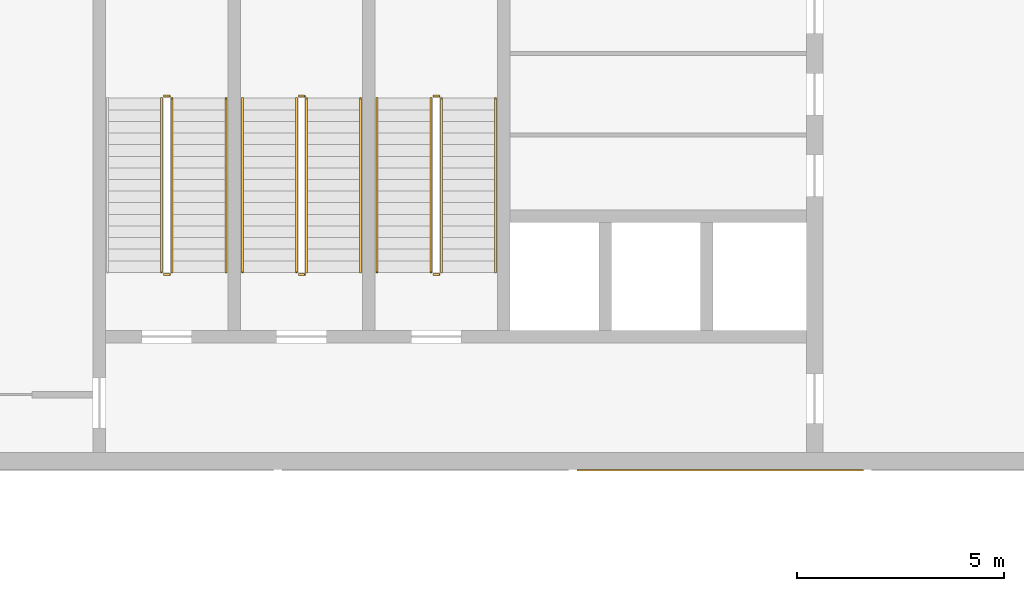
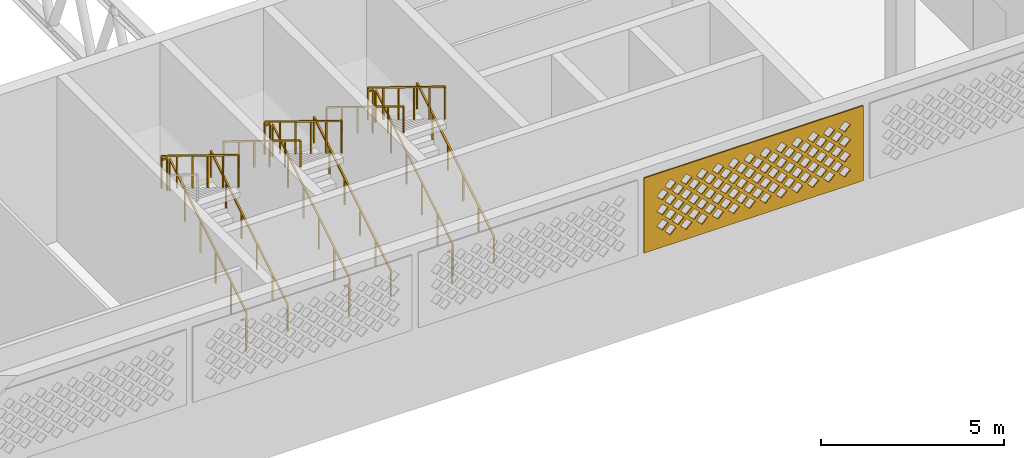
# One storey, part 28 of 69: 17 railings, 1 covering.
"""IFC4 building model written with IfcOpenShell, lengths in metres."""

from ifc_helpers import new_model, si_unit, direction, frame, origin, origin_2d, place, context, subcontext, project, spatial, polyline, rectangle, outline, extrude, material, layer, layer_set, type_object, element, save


model = new_model("IFC4")

# Units and contexts
model_context = context("Model", 3, precision=1e-05, world=origin(), true_north=direction((0.0, 1.0)))
body_context = subcontext(model_context, "Body", "Model", "MODEL_VIEW")
ifc_project = project(units=[si_unit("LENGTHUNIT", "METRE"), si_unit("AREAUNIT", "SQUARE_METRE"), si_unit("VOLUMEUNIT", "CUBIC_METRE"), si_unit("PLANEANGLEUNIT", "RADIAN"), si_unit("MASSUNIT", "GRAM", prefix="KILO")], contexts=[model_context])

# Site, building, storey
site_placement = place(None, origin())
site = spatial("IfcSite", under=ifc_project, at=site_placement, CompositionType="ELEMENT")
building_placement = place(site_placement, origin())
building = spatial("IfcBuilding", under=site, at=building_placement, Name="Noorbagh Ring Tower", CompositionType="ELEMENT")
storey_placement = place(building_placement, frame((0.0, 0.0, 19.5)))
storey = spatial("IfcBuildingStorey", under=building, at=storey_placement, Name="L03", CompositionType="ELEMENT", Elevation=19.5)

# Covering
ifc_material_1 = material(Name="Red sandstone jali", Category="masonry")
ifc_layer = layer(ifc_material_1, 0.0400390625)
ifc_layer_set = layer_set([ifc_layer], Name="Red sandstone jali")
covering_type = type_object("IfcCoveringType", Name="STH-BAND", PredefinedType="USERDEFINED", material=ifc_layer_set)
covering_placement = place(storey_placement, frame((-116.7333984375, -21.0400390625, 2.699951171875), z_axis=(0.0, -1.0, 0.0), x_axis=(1.0, 0.0, 0.0)))
element("IfcCovering", 1, at=covering_placement, inside=storey, type_object=covering_type, Name="Jali band", ObjectType="JALI SCREEN", PredefinedType="USERDEFINED", context=body_context, shape_type="SweptSolid", body=[
    extrude(outline(polyline([(0.0, 0.0), (6.9111328125, 0.0), (6.9111328125, 2.5), (0.0, 2.5), (0.0, 0.0)]), holes=[polyline([(0.650634765625, 0.5), (0.83056640625, 0.320068359375), (1.010498046875, 0.5), (0.83056640625, 0.679931640625), (0.650634765625, 0.5)]), polyline([(1.150634765625, 0.5), (1.33056640625, 0.320068359375), (1.510498046875, 0.5), (1.33056640625, 0.679931640625), (1.150634765625, 0.5)]), polyline([(1.650634765625, 0.5), (1.83056640625, 0.320068359375), (2.010498046875, 0.5), (1.83056640625, 0.679931640625), (1.650634765625, 0.5)]), polyline([(2.150634765625, 0.5), (2.33056640625, 0.320068359375), (2.510498046875, 0.5), (2.33056640625, 0.679931640625), (2.150634765625, 0.5)]), polyline([(2.650634765625, 0.5), (2.83056640625, 0.320068359375), (3.010498046875, 0.5), (2.83056640625, 0.679931640625), (2.650634765625, 0.5)]), polyline([(3.150634765625, 0.5), (3.33056640625, 0.320068359375), (3.510498046875, 0.5), (3.33056640625, 0.679931640625), (3.150634765625, 0.5)]), polyline([(3.650634765625, 0.5), (3.83056640625, 0.320068359375), (4.010498046875, 0.5), (3.83056640625, 0.679931640625), (3.650634765625, 0.5)]), polyline([(4.150634765625, 0.5), (4.33056640625, 0.320068359375), (4.510498046875, 0.5), (4.33056640625, 0.679931640625), (4.150634765625, 0.5)]), polyline([(4.650634765625, 0.5), (4.83056640625, 0.320068359375), (5.010498046875, 0.5), (4.83056640625, 0.679931640625), (4.650634765625, 0.5)]), polyline([(5.150634765625, 0.5), (5.33056640625, 0.320068359375), (5.510498046875, 0.5), (5.33056640625, 0.679931640625), (5.150634765625, 0.5)]), polyline([(5.650634765625, 0.5), (5.83056640625, 0.320068359375), (6.010498046875, 0.5), (5.83056640625, 0.679931640625), (5.650634765625, 0.5)]), polyline([(6.150634765625, 0.5), (6.33056640625, 0.320068359375), (6.510498046875, 0.5), (6.33056640625, 0.679931640625), (6.150634765625, 0.5)]), polyline([(0.400634765625, 0.75), (0.58056640625, 0.570068359375), (0.760498046875, 0.75), (0.58056640625, 0.929931640625), (0.400634765625, 0.75)]), polyline([(0.900634765625, 0.75), (1.08056640625, 0.570068359375), (1.260498046875, 0.75), (1.08056640625, 0.929931640625), (0.900634765625, 0.75)]), polyline([(1.400634765625, 0.75), (1.58056640625, 0.570068359375), (1.760498046875, 0.75), (1.58056640625, 0.929931640625), (1.400634765625, 0.75)]), polyline([(1.900634765625, 0.75), (2.08056640625, 0.570068359375), (2.260498046875, 0.75), (2.08056640625, 0.929931640625), (1.900634765625, 0.75)]), polyline([(2.400634765625, 0.75), (2.58056640625, 0.570068359375), (2.760498046875, 0.75), (2.58056640625, 0.929931640625), (2.400634765625, 0.75)]), polyline([(2.900634765625, 0.75), (3.08056640625, 0.570068359375), (3.260498046875, 0.75), (3.08056640625, 0.929931640625), (2.900634765625, 0.75)]), polyline([(3.400634765625, 0.75), (3.58056640625, 0.570068359375), (3.760498046875, 0.75), (3.58056640625, 0.929931640625), (3.400634765625, 0.75)]), polyline([(3.900634765625, 0.75), (4.08056640625, 0.570068359375), (4.260498046875, 0.75), (4.08056640625, 0.929931640625), (3.900634765625, 0.75)]), polyline([(4.400634765625, 0.75), (4.58056640625, 0.570068359375), (4.760498046875, 0.75), (4.58056640625, 0.929931640625), (4.400634765625, 0.75)]), polyline([(4.900634765625, 0.75), (5.08056640625, 0.570068359375), (5.260498046875, 0.75), (5.08056640625, 0.929931640625), (4.900634765625, 0.75)]), polyline([(5.400634765625, 0.75), (5.58056640625, 0.570068359375), (5.760498046875, 0.75), (5.58056640625, 0.929931640625), (5.400634765625, 0.75)]), polyline([(5.900634765625, 0.75), (6.08056640625, 0.570068359375), (6.260498046875, 0.75), (6.08056640625, 0.929931640625), (5.900634765625, 0.75)]), polyline([(0.650634765625, 1.0), (0.83056640625, 0.820068359375), (1.010498046875, 1.0), (0.83056640625, 1.179931640625), (0.650634765625, 1.0)]), polyline([(1.150634765625, 1.0), (1.33056640625, 0.820068359375), (1.510498046875, 1.0), (1.33056640625, 1.179931640625), (1.150634765625, 1.0)]), polyline([(1.650634765625, 1.0), (1.83056640625, 0.820068359375), (2.010498046875, 1.0), (1.83056640625, 1.179931640625), (1.650634765625, 1.0)]), polyline([(2.150634765625, 1.0), (2.33056640625, 0.820068359375), (2.510498046875, 1.0), (2.33056640625, 1.179931640625), (2.150634765625, 1.0)]), polyline([(2.650634765625, 1.0), (2.83056640625, 0.820068359375), (3.010498046875, 1.0), (2.83056640625, 1.179931640625), (2.650634765625, 1.0)]), polyline([(3.150634765625, 1.0), (3.33056640625, 0.820068359375), (3.510498046875, 1.0), (3.33056640625, 1.179931640625), (3.150634765625, 1.0)]), polyline([(3.650634765625, 1.0), (3.83056640625, 0.820068359375), (4.010498046875, 1.0), (3.83056640625, 1.179931640625), (3.650634765625, 1.0)]), polyline([(4.150634765625, 1.0), (4.33056640625, 0.820068359375), (4.510498046875, 1.0), (4.33056640625, 1.179931640625), (4.150634765625, 1.0)]), polyline([(4.650634765625, 1.0), (4.83056640625, 0.820068359375), (5.010498046875, 1.0), (4.83056640625, 1.179931640625), (4.650634765625, 1.0)]), polyline([(5.150634765625, 1.0), (5.33056640625, 0.820068359375), (5.510498046875, 1.0), (5.33056640625, 1.179931640625), (5.150634765625, 1.0)]), polyline([(5.650634765625, 1.0), (5.83056640625, 0.820068359375), (6.010498046875, 1.0), (5.83056640625, 1.179931640625), (5.650634765625, 1.0)]), polyline([(6.150634765625, 1.0), (6.33056640625, 0.820068359375), (6.510498046875, 1.0), (6.33056640625, 1.179931640625), (6.150634765625, 1.0)]), polyline([(0.400634765625, 1.25), (0.58056640625, 1.070068359375), (0.760498046875, 1.25), (0.58056640625, 1.429931640625), (0.400634765625, 1.25)]), polyline([(0.900634765625, 1.25), (1.08056640625, 1.070068359375), (1.260498046875, 1.25), (1.08056640625, 1.429931640625), (0.900634765625, 1.25)]), polyline([(1.400634765625, 1.25), (1.58056640625, 1.070068359375), (1.760498046875, 1.25), (1.58056640625, 1.429931640625), (1.400634765625, 1.25)]), polyline([(1.900634765625, 1.25), (2.08056640625, 1.070068359375), (2.260498046875, 1.25), (2.08056640625, 1.429931640625), (1.900634765625, 1.25)]), polyline([(2.400634765625, 1.25), (2.58056640625, 1.070068359375), (2.760498046875, 1.25), (2.58056640625, 1.429931640625), (2.400634765625, 1.25)]), polyline([(2.900634765625, 1.25), (3.08056640625, 1.070068359375), (3.260498046875, 1.25), (3.08056640625, 1.429931640625), (2.900634765625, 1.25)]), polyline([(3.400634765625, 1.25), (3.58056640625, 1.070068359375), (3.760498046875, 1.25), (3.58056640625, 1.429931640625), (3.400634765625, 1.25)]), polyline([(3.900634765625, 1.25), (4.08056640625, 1.070068359375), (4.260498046875, 1.25), (4.08056640625, 1.429931640625), (3.900634765625, 1.25)]), polyline([(4.400634765625, 1.25), (4.58056640625, 1.070068359375), (4.760498046875, 1.25), (4.58056640625, 1.429931640625), (4.400634765625, 1.25)]), polyline([(4.900634765625, 1.25), (5.08056640625, 1.070068359375), (5.260498046875, 1.25), (5.08056640625, 1.429931640625), (4.900634765625, 1.25)]), polyline([(5.400634765625, 1.25), (5.58056640625, 1.070068359375), (5.760498046875, 1.25), (5.58056640625, 1.429931640625), (5.400634765625, 1.25)]), polyline([(5.900634765625, 1.25), (6.08056640625, 1.070068359375), (6.260498046875, 1.25), (6.08056640625, 1.429931640625), (5.900634765625, 1.25)]), polyline([(0.650634765625, 1.5), (0.83056640625, 1.320068359375), (1.010498046875, 1.5), (0.83056640625, 1.679931640625), (0.650634765625, 1.5)]), polyline([(1.150634765625, 1.5), (1.33056640625, 1.320068359375), (1.510498046875, 1.5), (1.33056640625, 1.679931640625), (1.150634765625, 1.5)]), polyline([(1.650634765625, 1.5), (1.83056640625, 1.320068359375), (2.010498046875, 1.5), (1.83056640625, 1.679931640625), (1.650634765625, 1.5)]), polyline([(2.150634765625, 1.5), (2.33056640625, 1.320068359375), (2.510498046875, 1.5), (2.33056640625, 1.679931640625), (2.150634765625, 1.5)]), polyline([(2.650634765625, 1.5), (2.83056640625, 1.320068359375), (3.010498046875, 1.5), (2.83056640625, 1.679931640625), (2.650634765625, 1.5)]), polyline([(3.150634765625, 1.5), (3.33056640625, 1.320068359375), (3.510498046875, 1.5), (3.33056640625, 1.679931640625), (3.150634765625, 1.5)]), polyline([(3.650634765625, 1.5), (3.83056640625, 1.320068359375), (4.010498046875, 1.5), (3.83056640625, 1.679931640625), (3.650634765625, 1.5)]), polyline([(4.150634765625, 1.5), (4.33056640625, 1.320068359375), (4.510498046875, 1.5), (4.33056640625, 1.679931640625), (4.150634765625, 1.5)]), polyline([(4.650634765625, 1.5), (4.83056640625, 1.320068359375), (5.010498046875, 1.5), (4.83056640625, 1.679931640625), (4.650634765625, 1.5)]), polyline([(5.150634765625, 1.5), (5.33056640625, 1.320068359375), (5.510498046875, 1.5), (5.33056640625, 1.679931640625), (5.150634765625, 1.5)]), polyline([(5.650634765625, 1.5), (5.83056640625, 1.320068359375), (6.010498046875, 1.5), (5.83056640625, 1.679931640625), (5.650634765625, 1.5)]), polyline([(6.150634765625, 1.5), (6.33056640625, 1.320068359375), (6.510498046875, 1.5), (6.33056640625, 1.679931640625), (6.150634765625, 1.5)]), polyline([(0.400634765625, 1.75), (0.58056640625, 1.570068359375), (0.760498046875, 1.75), (0.58056640625, 1.929931640625), (0.400634765625, 1.75)]), polyline([(0.900634765625, 1.75), (1.08056640625, 1.570068359375), (1.260498046875, 1.75), (1.08056640625, 1.929931640625), (0.900634765625, 1.75)]), polyline([(1.400634765625, 1.75), (1.58056640625, 1.570068359375), (1.760498046875, 1.75), (1.58056640625, 1.929931640625), (1.400634765625, 1.75)]), polyline([(1.900634765625, 1.75), (2.08056640625, 1.570068359375), (2.260498046875, 1.75), (2.08056640625, 1.929931640625), (1.900634765625, 1.75)]), polyline([(2.400634765625, 1.75), (2.58056640625, 1.570068359375), (2.760498046875, 1.75), (2.58056640625, 1.929931640625), (2.400634765625, 1.75)]), polyline([(2.900634765625, 1.75), (3.08056640625, 1.570068359375), (3.260498046875, 1.75), (3.08056640625, 1.929931640625), (2.900634765625, 1.75)]), polyline([(3.400634765625, 1.75), (3.58056640625, 1.570068359375), (3.760498046875, 1.75), (3.58056640625, 1.929931640625), (3.400634765625, 1.75)]), polyline([(3.900634765625, 1.75), (4.08056640625, 1.570068359375), (4.260498046875, 1.75), (4.08056640625, 1.929931640625), (3.900634765625, 1.75)]), polyline([(4.400634765625, 1.75), (4.58056640625, 1.570068359375), (4.760498046875, 1.75), (4.58056640625, 1.929931640625), (4.400634765625, 1.75)]), polyline([(4.900634765625, 1.75), (5.08056640625, 1.570068359375), (5.260498046875, 1.75), (5.08056640625, 1.929931640625), (4.900634765625, 1.75)]), polyline([(5.400634765625, 1.75), (5.58056640625, 1.570068359375), (5.760498046875, 1.75), (5.58056640625, 1.929931640625), (5.400634765625, 1.75)]), polyline([(5.900634765625, 1.75), (6.08056640625, 1.570068359375), (6.260498046875, 1.75), (6.08056640625, 1.929931640625), (5.900634765625, 1.75)]), polyline([(0.650634765625, 2.0), (0.83056640625, 1.820068359375), (1.010498046875, 2.0), (0.83056640625, 2.179931640625), (0.650634765625, 2.0)]), polyline([(1.150634765625, 2.0), (1.33056640625, 1.820068359375), (1.510498046875, 2.0), (1.33056640625, 2.179931640625), (1.150634765625, 2.0)]), polyline([(1.650634765625, 2.0), (1.83056640625, 1.820068359375), (2.010498046875, 2.0), (1.83056640625, 2.179931640625), (1.650634765625, 2.0)]), polyline([(2.150634765625, 2.0), (2.33056640625, 1.820068359375), (2.510498046875, 2.0), (2.33056640625, 2.179931640625), (2.150634765625, 2.0)]), polyline([(2.650634765625, 2.0), (2.83056640625, 1.820068359375), (3.010498046875, 2.0), (2.83056640625, 2.179931640625), (2.650634765625, 2.0)]), polyline([(3.150634765625, 2.0), (3.33056640625, 1.820068359375), (3.510498046875, 2.0), (3.33056640625, 2.179931640625), (3.150634765625, 2.0)]), polyline([(3.650634765625, 2.0), (3.83056640625, 1.820068359375), (4.010498046875, 2.0), (3.83056640625, 2.179931640625), (3.650634765625, 2.0)]), polyline([(4.150634765625, 2.0), (4.33056640625, 1.820068359375), (4.510498046875, 2.0), (4.33056640625, 2.179931640625), (4.150634765625, 2.0)]), polyline([(4.650634765625, 2.0), (4.83056640625, 1.820068359375), (5.010498046875, 2.0), (4.83056640625, 2.179931640625), (4.650634765625, 2.0)]), polyline([(5.150634765625, 2.0), (5.33056640625, 1.820068359375), (5.510498046875, 2.0), (5.33056640625, 2.179931640625), (5.150634765625, 2.0)]), polyline([(5.650634765625, 2.0), (5.83056640625, 1.820068359375), (6.010498046875, 2.0), (5.83056640625, 2.179931640625), (5.650634765625, 2.0)]), polyline([(6.150634765625, 2.0), (6.33056640625, 1.820068359375), (6.510498046875, 2.0), (6.33056640625, 2.179931640625), (6.150634765625, 2.0)])]), origin(), (0.0, 0.0, -1.0), 0.0400390625),
])

# Railings
ifc_material_2 = material(Name="Stainless steel", Category="steel")
railing_type_1 = type_object("IfcRailingType", Name="TH-STAIR-GUARD", PredefinedType="GUARDRAIL", material=ifc_material_2)
railing_1_placement = place(storey_placement, frame((-123.25, -16.25, 0.171875)))
element("IfcRailing", 2, at=railing_1_placement, inside=storey, type_object=railing_type_1, Name="L03 TSS1 stair guard 1", PredefinedType="GUARDRAIL", context=body_context, shape_type="SweptSolid", body=[
    extrude(rectangle(XDim=0.048095703125, YDim=0.048095703125, at=origin_2d()), frame((0.0, 0.0, 1.076171875), z_axis=(0.0, 0.852242915053, 0.523146264196), x_axis=(-1.0, 0.0, 0.0)), (0.0, 0.0, 1.0), 4.92822265625),
    extrude(rectangle(XDim=0.0419921875, YDim=0.0419921875, at=origin_2d()), origin(), (0.0, 0.0, 1.0), 1.052001953125),
    extrude(rectangle(XDim=0.0419921875, YDim=0.0419921875, at=origin_2d()), frame((0.0, 0.840087890625, 0.515625)), (0.0, 0.0, 1.0), 1.052001953125),
    extrude(rectangle(XDim=0.0419921875, YDim=0.0419921875, at=origin_2d()), frame((0.0, 1.679931640625, 1.03125)), (0.0, 0.0, 1.0), 1.052001953125),
    extrude(rectangle(XDim=0.0419921875, YDim=0.0419921875, at=origin_2d()), frame((0.0, 2.52001953125, 1.546875)), (0.0, 0.0, 1.0), 1.052001953125),
    extrude(rectangle(XDim=0.0419921875, YDim=0.0419921875, at=origin_2d()), frame((0.0, 3.35986328125, 2.0625)), (0.0, 0.0, 1.0), 1.052001953125),
    extrude(rectangle(XDim=0.0419921875, YDim=0.0419921875, at=origin_2d()), frame((0.0, 4.199951171875, 2.578125)), (0.0, 0.0, 1.0), 1.052001953125),
])
railing_2_placement = place(storey_placement, frame((-123.300048828125, -12.0, 2.75)))
element("IfcRailing", 3, at=railing_2_placement, inside=storey, type_object=railing_type_1, Name="L03 TSS1 stair guard 2", PredefinedType="GUARDRAIL", context=body_context, shape_type="SweptSolid", body=[
    extrude(rectangle(XDim=0.048095703125, YDim=0.048095703125, at=origin_2d()), frame((0.0, 0.0, 1.076171875), z_axis=(-1.0, 0.0, 0.0), x_axis=(0.0, -1.0, 0.0)), (0.0, 0.0, 1.0), 0.14990234375),
    extrude(rectangle(XDim=0.0419921875, YDim=0.0419921875, at=origin_2d()), origin(), (0.0, 0.0, 1.0), 1.052001953125),
])
railing_3_placement = place(storey_placement, frame((-123.5, -12.050048828125, 2.921875)))
element("IfcRailing", 4, at=railing_3_placement, inside=storey, type_object=railing_type_1, Name="L03 TSS1 stair guard 3", PredefinedType="GUARDRAIL", context=body_context, shape_type="SweptSolid", body=[
    extrude(rectangle(XDim=0.048095703125, YDim=0.048095703125, at=origin_2d()), frame((0.0, 0.0, 1.076171875), z_axis=(0.0, -0.852242915053, 0.523146264196), x_axis=(1.0, 0.0, 0.0)), (0.0, 0.0, 1.0), 4.92822265625),
    extrude(rectangle(XDim=0.0419921875, YDim=0.0419921875, at=origin_2d()), origin(), (0.0, 0.0, 1.0), 1.052001953125),
    extrude(rectangle(XDim=0.0419921875, YDim=0.0419921875, at=origin_2d()), frame((0.0, -0.840087890625, 0.515625)), (0.0, 0.0, 1.0), 1.052001953125),
    extrude(rectangle(XDim=0.0419921875, YDim=0.0419921875, at=origin_2d()), frame((0.0, -1.679931640625, 1.03125)), (0.0, 0.0, 1.0), 1.052001953125),
    extrude(rectangle(XDim=0.0419921875, YDim=0.0419921875, at=origin_2d()), frame((0.0, -2.52001953125, 1.546875)), (0.0, 0.0, 1.0), 1.052001953125),
    extrude(rectangle(XDim=0.0419921875, YDim=0.0419921875, at=origin_2d()), frame((0.0, -3.35986328125, 2.0625)), (0.0, 0.0, 1.0), 1.052001953125),
    extrude(rectangle(XDim=0.0419921875, YDim=0.0419921875, at=origin_2d()), frame((0.0, -4.199951171875, 2.578125)), (0.0, 0.0, 1.0), 1.052001953125),
])
railing_4_placement = place(storey_placement, frame((-123.300048828125, -16.300048828125, 0.0)))
element("IfcRailing", 5, at=railing_4_placement, inside=storey, type_object=railing_type_1, Name="L03 TSS1 stair guard 4", PredefinedType="GUARDRAIL", context=body_context, shape_type="SweptSolid", body=[
    extrude(rectangle(XDim=0.048095703125, YDim=0.048095703125, at=origin_2d()), frame((0.0, 0.0, 1.076171875), z_axis=(-1.0, 0.0, 0.0), x_axis=(0.0, -1.0, 0.0)), (0.0, 0.0, 1.0), 0.14990234375),
    extrude(rectangle(XDim=0.0419921875, YDim=0.0419921875, at=origin_2d()), origin(), (0.0, 0.0, 1.0), 1.052001953125),
])
railing_5_placement = place(storey_placement, frame((-120.0, -16.25, 0.171875)))
element("IfcRailing", 6, at=railing_5_placement, inside=storey, type_object=railing_type_1, Name="L03 TSS2 stair guard 1", PredefinedType="GUARDRAIL", context=body_context, shape_type="SweptSolid", body=[
    extrude(rectangle(XDim=0.048095703125, YDim=0.048095703125, at=origin_2d()), frame((0.0, 0.0, 1.076171875), z_axis=(0.0, 0.852242915053, 0.523146264196), x_axis=(-1.0, 0.0, 0.0)), (0.0, 0.0, 1.0), 4.92822265625),
    extrude(rectangle(XDim=0.0419921875, YDim=0.0419921875, at=origin_2d()), origin(), (0.0, 0.0, 1.0), 1.052001953125),
    extrude(rectangle(XDim=0.0419921875, YDim=0.0419921875, at=origin_2d()), frame((0.0, 0.840087890625, 0.515625)), (0.0, 0.0, 1.0), 1.052001953125),
    extrude(rectangle(XDim=0.0419921875, YDim=0.0419921875, at=origin_2d()), frame((0.0, 1.679931640625, 1.03125)), (0.0, 0.0, 1.0), 1.052001953125),
    extrude(rectangle(XDim=0.0419921875, YDim=0.0419921875, at=origin_2d()), frame((0.0, 2.52001953125, 1.546875)), (0.0, 0.0, 1.0), 1.052001953125),
    extrude(rectangle(XDim=0.0419921875, YDim=0.0419921875, at=origin_2d()), frame((0.0, 3.35986328125, 2.0625)), (0.0, 0.0, 1.0), 1.052001953125),
    extrude(rectangle(XDim=0.0419921875, YDim=0.0419921875, at=origin_2d()), frame((0.0, 4.199951171875, 2.578125)), (0.0, 0.0, 1.0), 1.052001953125),
])
railing_6_placement = place(storey_placement, frame((-120.050048828125, -12.0, 2.75)))
element("IfcRailing", 7, at=railing_6_placement, inside=storey, type_object=railing_type_1, Name="L03 TSS2 stair guard 2", PredefinedType="GUARDRAIL", context=body_context, shape_type="SweptSolid", body=[
    extrude(rectangle(XDim=0.048095703125, YDim=0.048095703125, at=origin_2d()), frame((0.0, 0.0, 1.076171875), z_axis=(-1.0, 0.0, 0.0), x_axis=(0.0, -1.0, 0.0)), (0.0, 0.0, 1.0), 0.14990234375),
    extrude(rectangle(XDim=0.0419921875, YDim=0.0419921875, at=origin_2d()), origin(), (0.0, 0.0, 1.0), 1.052001953125),
])
railing_7_placement = place(storey_placement, frame((-120.25, -12.050048828125, 2.921875)))
element("IfcRailing", 8, at=railing_7_placement, inside=storey, type_object=railing_type_1, Name="L03 TSS2 stair guard 3", PredefinedType="GUARDRAIL", context=body_context, shape_type="SweptSolid", body=[
    extrude(rectangle(XDim=0.048095703125, YDim=0.048095703125, at=origin_2d()), frame((0.0, 0.0, 1.076171875), z_axis=(0.0, -0.852242915053, 0.523146264196), x_axis=(1.0, 0.0, 0.0)), (0.0, 0.0, 1.0), 4.92822265625),
    extrude(rectangle(XDim=0.0419921875, YDim=0.0419921875, at=origin_2d()), origin(), (0.0, 0.0, 1.0), 1.052001953125),
    extrude(rectangle(XDim=0.0419921875, YDim=0.0419921875, at=origin_2d()), frame((0.0, -0.840087890625, 0.515625)), (0.0, 0.0, 1.0), 1.052001953125),
    extrude(rectangle(XDim=0.0419921875, YDim=0.0419921875, at=origin_2d()), frame((0.0, -1.679931640625, 1.03125)), (0.0, 0.0, 1.0), 1.052001953125),
    extrude(rectangle(XDim=0.0419921875, YDim=0.0419921875, at=origin_2d()), frame((0.0, -2.52001953125, 1.546875)), (0.0, 0.0, 1.0), 1.052001953125),
    extrude(rectangle(XDim=0.0419921875, YDim=0.0419921875, at=origin_2d()), frame((0.0, -3.35986328125, 2.0625)), (0.0, 0.0, 1.0), 1.052001953125),
    extrude(rectangle(XDim=0.0419921875, YDim=0.0419921875, at=origin_2d()), frame((0.0, -4.199951171875, 2.578125)), (0.0, 0.0, 1.0), 1.052001953125),
])
railing_8_placement = place(storey_placement, frame((-120.050048828125, -16.300048828125, 0.0)))
element("IfcRailing", 9, at=railing_8_placement, inside=storey, type_object=railing_type_1, Name="L03 TSS2 stair guard 4", PredefinedType="GUARDRAIL", context=body_context, shape_type="SweptSolid", body=[
    extrude(rectangle(XDim=0.048095703125, YDim=0.048095703125, at=origin_2d()), frame((0.0, 0.0, 1.076171875), z_axis=(-1.0, 0.0, 0.0), x_axis=(0.0, -1.0, 0.0)), (0.0, 0.0, 1.0), 0.14990234375),
    extrude(rectangle(XDim=0.0419921875, YDim=0.0419921875, at=origin_2d()), origin(), (0.0, 0.0, 1.0), 1.052001953125),
])
railing_9_placement = place(storey_placement, frame((-126.5, -16.25, 0.171875)))
element("IfcRailing", 10, at=railing_9_placement, inside=storey, type_object=railing_type_1, Name="L03 TSS3 stair guard 1", PredefinedType="GUARDRAIL", context=body_context, shape_type="SweptSolid", body=[
    extrude(rectangle(XDim=0.048095703125, YDim=0.048095703125, at=origin_2d()), frame((0.0, 0.0, 1.076171875), z_axis=(0.0, 0.852242915053, 0.523146264196), x_axis=(-1.0, 0.0, 0.0)), (0.0, 0.0, 1.0), 4.92822265625),
    extrude(rectangle(XDim=0.0419921875, YDim=0.0419921875, at=origin_2d()), origin(), (0.0, 0.0, 1.0), 1.052001953125),
    extrude(rectangle(XDim=0.0419921875, YDim=0.0419921875, at=origin_2d()), frame((0.0, 0.840087890625, 0.515625)), (0.0, 0.0, 1.0), 1.052001953125),
    extrude(rectangle(XDim=0.0419921875, YDim=0.0419921875, at=origin_2d()), frame((0.0, 1.679931640625, 1.03125)), (0.0, 0.0, 1.0), 1.052001953125),
    extrude(rectangle(XDim=0.0419921875, YDim=0.0419921875, at=origin_2d()), frame((0.0, 2.52001953125, 1.546875)), (0.0, 0.0, 1.0), 1.052001953125),
    extrude(rectangle(XDim=0.0419921875, YDim=0.0419921875, at=origin_2d()), frame((0.0, 3.35986328125, 2.0625)), (0.0, 0.0, 1.0), 1.052001953125),
    extrude(rectangle(XDim=0.0419921875, YDim=0.0419921875, at=origin_2d()), frame((0.0, 4.199951171875, 2.578125)), (0.0, 0.0, 1.0), 1.052001953125),
])
railing_10_placement = place(storey_placement, frame((-126.550048828125, -12.0, 2.75)))
element("IfcRailing", 11, at=railing_10_placement, inside=storey, type_object=railing_type_1, Name="L03 TSS3 stair guard 2", PredefinedType="GUARDRAIL", context=body_context, shape_type="SweptSolid", body=[
    extrude(rectangle(XDim=0.048095703125, YDim=0.048095703125, at=origin_2d()), frame((0.0, 0.0, 1.076171875), z_axis=(-1.0, 0.0, 0.0), x_axis=(0.0, -1.0, 0.0)), (0.0, 0.0, 1.0), 0.14990234375),
    extrude(rectangle(XDim=0.0419921875, YDim=0.0419921875, at=origin_2d()), origin(), (0.0, 0.0, 1.0), 1.052001953125),
])
railing_11_placement = place(storey_placement, frame((-126.75, -12.050048828125, 2.921875)))
element("IfcRailing", 12, at=railing_11_placement, inside=storey, type_object=railing_type_1, Name="L03 TSS3 stair guard 3", PredefinedType="GUARDRAIL", context=body_context, shape_type="SweptSolid", body=[
    extrude(rectangle(XDim=0.048095703125, YDim=0.048095703125, at=origin_2d()), frame((0.0, 0.0, 1.076171875), z_axis=(0.0, -0.852242915053, 0.523146264196), x_axis=(1.0, 0.0, 0.0)), (0.0, 0.0, 1.0), 4.92822265625),
    extrude(rectangle(XDim=0.0419921875, YDim=0.0419921875, at=origin_2d()), origin(), (0.0, 0.0, 1.0), 1.052001953125),
    extrude(rectangle(XDim=0.0419921875, YDim=0.0419921875, at=origin_2d()), frame((0.0, -0.840087890625, 0.515625)), (0.0, 0.0, 1.0), 1.052001953125),
    extrude(rectangle(XDim=0.0419921875, YDim=0.0419921875, at=origin_2d()), frame((0.0, -1.679931640625, 1.03125)), (0.0, 0.0, 1.0), 1.052001953125),
    extrude(rectangle(XDim=0.0419921875, YDim=0.0419921875, at=origin_2d()), frame((0.0, -2.52001953125, 1.546875)), (0.0, 0.0, 1.0), 1.052001953125),
    extrude(rectangle(XDim=0.0419921875, YDim=0.0419921875, at=origin_2d()), frame((0.0, -3.35986328125, 2.0625)), (0.0, 0.0, 1.0), 1.052001953125),
    extrude(rectangle(XDim=0.0419921875, YDim=0.0419921875, at=origin_2d()), frame((0.0, -4.199951171875, 2.578125)), (0.0, 0.0, 1.0), 1.052001953125),
])
railing_12_placement = place(storey_placement, frame((-126.550048828125, -16.300048828125, 0.0)))
element("IfcRailing", 13, at=railing_12_placement, inside=storey, type_object=railing_type_1, Name="L03 TSS3 stair guard 4", PredefinedType="GUARDRAIL", context=body_context, shape_type="SweptSolid", body=[
    extrude(rectangle(XDim=0.048095703125, YDim=0.048095703125, at=origin_2d()), frame((0.0, 0.0, 1.076171875), z_axis=(-1.0, 0.0, 0.0), x_axis=(0.0, -1.0, 0.0)), (0.0, 0.0, 1.0), 0.14990234375),
    extrude(rectangle(XDim=0.0419921875, YDim=0.0419921875, at=origin_2d()), origin(), (0.0, 0.0, 1.0), 1.052001953125),
])
ifc_material_3 = material(Name="Stainless steel", Category="steel")
railing_type_2 = type_object("IfcRailingType", Name="TH-STAIR-HANDRAIL", PredefinedType="HANDRAIL", material=ifc_material_3)
railing_13_placement = place(storey_placement, frame((-121.949951171875, -16.25, 0.171875)))
element("IfcRailing", 14, at=railing_13_placement, inside=storey, type_object=railing_type_2, Name="L03 TSS1 stair handrail 1", PredefinedType="HANDRAIL", context=body_context, shape_type="SweptSolid", body=[
    extrude(rectangle(XDim=0.048095703125, YDim=0.048095703125, at=origin_2d()), frame((0.0, 0.0, 0.8759765625), z_axis=(0.0, 0.852242915053, 0.523146264196), x_axis=(-1.0, 0.0, 0.0)), (0.0, 0.0, 1.0), 4.92822265625),
    extrude(rectangle(XDim=0.0419921875, YDim=0.0419921875, at=origin_2d()), origin(), (0.0, 0.0, 1.0), 0.851806640625),
    extrude(rectangle(XDim=0.0419921875, YDim=0.0419921875, at=origin_2d()), frame((0.0, 0.840087890625, 0.515625)), (0.0, 0.0, 1.0), 0.851806640625),
    extrude(rectangle(XDim=0.0419921875, YDim=0.0419921875, at=origin_2d()), frame((0.0, 1.679931640625, 1.03125)), (0.0, 0.0, 1.0), 0.851806640625),
    extrude(rectangle(XDim=0.0419921875, YDim=0.0419921875, at=origin_2d()), frame((0.0, 2.52001953125, 1.546875)), (0.0, 0.0, 1.0), 0.851806640625),
    extrude(rectangle(XDim=0.0419921875, YDim=0.0419921875, at=origin_2d()), frame((0.0, 3.35986328125, 2.0625)), (0.0, 0.0, 1.0), 0.851806640625),
    extrude(rectangle(XDim=0.0419921875, YDim=0.0419921875, at=origin_2d()), frame((0.0, 4.199951171875, 2.578125)), (0.0, 0.0, 1.0), 0.851806640625),
])
railing_14_placement = place(storey_placement, frame((-124.800048828125, -12.050048828125, 2.921875)))
element("IfcRailing", 15, at=railing_14_placement, inside=storey, type_object=railing_type_2, Name="L03 TSS1 stair handrail 2", PredefinedType="HANDRAIL", context=body_context, shape_type="SweptSolid", body=[
    extrude(rectangle(XDim=0.048095703125, YDim=0.048095703125, at=origin_2d()), frame((0.0, 0.0, 0.8759765625), z_axis=(0.0, -0.852242915053, 0.523146264196), x_axis=(1.0, 0.0, 0.0)), (0.0, 0.0, 1.0), 4.92822265625),
    extrude(rectangle(XDim=0.0419921875, YDim=0.0419921875, at=origin_2d()), origin(), (0.0, 0.0, 1.0), 0.851806640625),
    extrude(rectangle(XDim=0.0419921875, YDim=0.0419921875, at=origin_2d()), frame((0.0, -0.840087890625, 0.515625)), (0.0, 0.0, 1.0), 0.851806640625),
    extrude(rectangle(XDim=0.0419921875, YDim=0.0419921875, at=origin_2d()), frame((0.0, -1.679931640625, 1.03125)), (0.0, 0.0, 1.0), 0.851806640625),
    extrude(rectangle(XDim=0.0419921875, YDim=0.0419921875, at=origin_2d()), frame((0.0, -2.52001953125, 1.546875)), (0.0, 0.0, 1.0), 0.851806640625),
    extrude(rectangle(XDim=0.0419921875, YDim=0.0419921875, at=origin_2d()), frame((0.0, -3.35986328125, 2.0625)), (0.0, 0.0, 1.0), 0.851806640625),
    extrude(rectangle(XDim=0.0419921875, YDim=0.0419921875, at=origin_2d()), frame((0.0, -4.199951171875, 2.578125)), (0.0, 0.0, 1.0), 0.851806640625),
])
railing_15_placement = place(storey_placement, frame((-118.699951171875, -16.25, 0.171875)))
element("IfcRailing", 16, at=railing_15_placement, inside=storey, type_object=railing_type_2, Name="L03 TSS2 stair handrail 1", PredefinedType="HANDRAIL", context=body_context, shape_type="SweptSolid", body=[
    extrude(rectangle(XDim=0.048095703125, YDim=0.048095703125, at=origin_2d()), frame((0.0, 0.0, 0.8759765625), z_axis=(0.0, 0.852242915053, 0.523146264196), x_axis=(-1.0, 0.0, 0.0)), (0.0, 0.0, 1.0), 4.92822265625),
    extrude(rectangle(XDim=0.0419921875, YDim=0.0419921875, at=origin_2d()), origin(), (0.0, 0.0, 1.0), 0.851806640625),
    extrude(rectangle(XDim=0.0419921875, YDim=0.0419921875, at=origin_2d()), frame((0.0, 0.840087890625, 0.515625)), (0.0, 0.0, 1.0), 0.851806640625),
    extrude(rectangle(XDim=0.0419921875, YDim=0.0419921875, at=origin_2d()), frame((0.0, 1.679931640625, 1.03125)), (0.0, 0.0, 1.0), 0.851806640625),
    extrude(rectangle(XDim=0.0419921875, YDim=0.0419921875, at=origin_2d()), frame((0.0, 2.52001953125, 1.546875)), (0.0, 0.0, 1.0), 0.851806640625),
    extrude(rectangle(XDim=0.0419921875, YDim=0.0419921875, at=origin_2d()), frame((0.0, 3.35986328125, 2.0625)), (0.0, 0.0, 1.0), 0.851806640625),
    extrude(rectangle(XDim=0.0419921875, YDim=0.0419921875, at=origin_2d()), frame((0.0, 4.199951171875, 2.578125)), (0.0, 0.0, 1.0), 0.851806640625),
])
railing_16_placement = place(storey_placement, frame((-121.550048828125, -12.050048828125, 2.921875)))
element("IfcRailing", 17, at=railing_16_placement, inside=storey, type_object=railing_type_2, Name="L03 TSS2 stair handrail 2", PredefinedType="HANDRAIL", context=body_context, shape_type="SweptSolid", body=[
    extrude(rectangle(XDim=0.048095703125, YDim=0.048095703125, at=origin_2d()), frame((0.0, 0.0, 0.8759765625), z_axis=(0.0, -0.852242915053, 0.523146264196), x_axis=(1.0, 0.0, 0.0)), (0.0, 0.0, 1.0), 4.92822265625),
    extrude(rectangle(XDim=0.0419921875, YDim=0.0419921875, at=origin_2d()), origin(), (0.0, 0.0, 1.0), 0.851806640625),
    extrude(rectangle(XDim=0.0419921875, YDim=0.0419921875, at=origin_2d()), frame((0.0, -0.840087890625, 0.515625)), (0.0, 0.0, 1.0), 0.851806640625),
    extrude(rectangle(XDim=0.0419921875, YDim=0.0419921875, at=origin_2d()), frame((0.0, -1.679931640625, 1.03125)), (0.0, 0.0, 1.0), 0.851806640625),
    extrude(rectangle(XDim=0.0419921875, YDim=0.0419921875, at=origin_2d()), frame((0.0, -2.52001953125, 1.546875)), (0.0, 0.0, 1.0), 0.851806640625),
    extrude(rectangle(XDim=0.0419921875, YDim=0.0419921875, at=origin_2d()), frame((0.0, -3.35986328125, 2.0625)), (0.0, 0.0, 1.0), 0.851806640625),
    extrude(rectangle(XDim=0.0419921875, YDim=0.0419921875, at=origin_2d()), frame((0.0, -4.199951171875, 2.578125)), (0.0, 0.0, 1.0), 0.851806640625),
])
railing_17_placement = place(storey_placement, frame((-125.199951171875, -16.25, 0.171875)))
element("IfcRailing", 18, at=railing_17_placement, inside=storey, type_object=railing_type_2, Name="L03 TSS3 stair handrail 1", PredefinedType="HANDRAIL", context=body_context, shape_type="SweptSolid", body=[
    extrude(rectangle(XDim=0.048095703125, YDim=0.048095703125, at=origin_2d()), frame((0.0, 0.0, 0.8759765625), z_axis=(0.0, 0.852242915053, 0.523146264196), x_axis=(-1.0, 0.0, 0.0)), (0.0, 0.0, 1.0), 4.92822265625),
    extrude(rectangle(XDim=0.0419921875, YDim=0.0419921875, at=origin_2d()), origin(), (0.0, 0.0, 1.0), 0.851806640625),
    extrude(rectangle(XDim=0.0419921875, YDim=0.0419921875, at=origin_2d()), frame((0.0, 0.840087890625, 0.515625)), (0.0, 0.0, 1.0), 0.851806640625),
    extrude(rectangle(XDim=0.0419921875, YDim=0.0419921875, at=origin_2d()), frame((0.0, 1.679931640625, 1.03125)), (0.0, 0.0, 1.0), 0.851806640625),
    extrude(rectangle(XDim=0.0419921875, YDim=0.0419921875, at=origin_2d()), frame((0.0, 2.52001953125, 1.546875)), (0.0, 0.0, 1.0), 0.851806640625),
    extrude(rectangle(XDim=0.0419921875, YDim=0.0419921875, at=origin_2d()), frame((0.0, 3.35986328125, 2.0625)), (0.0, 0.0, 1.0), 0.851806640625),
    extrude(rectangle(XDim=0.0419921875, YDim=0.0419921875, at=origin_2d()), frame((0.0, 4.199951171875, 2.578125)), (0.0, 0.0, 1.0), 0.851806640625),
])

save(model, "model.ifc")
